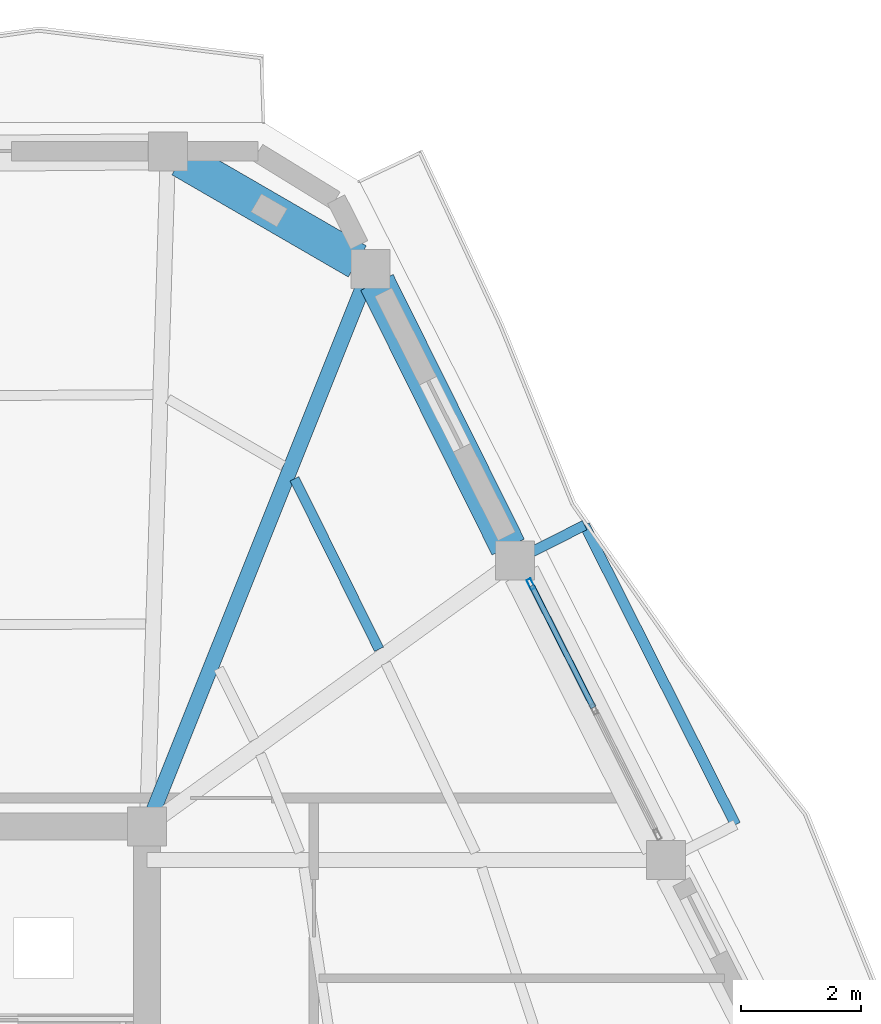
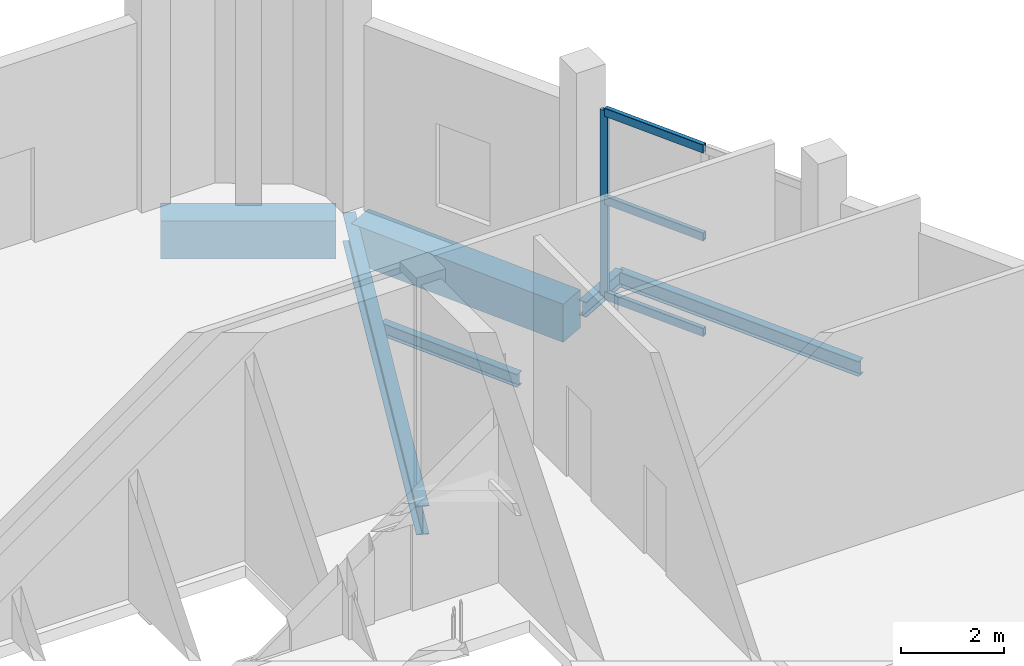
# One storey, part 16 of 23: 6 beams, 4 members, 1 element without a shape of its own.
"""IFC4 building model written with IfcOpenShell, lengths in metres."""

from ifc_helpers import new_model, si_unit, direction, frame, origin, origin_2d, place, context, subcontext, project, spatial, rectangle, hollow_rectangle, i_section, extrude, material, layer, layer_set, material_profile, profile_set, type_object, element, aggregate, save


model = new_model("IFC4")

# Units and contexts
model_context = context("Model", 3, precision=1e-05, world=origin(), true_north=direction((0.0, 1.0)))
body_context = subcontext(model_context, "Body", "Model", "MODEL_VIEW")
ifc_project = project(units=[si_unit("LENGTHUNIT", "METRE"), si_unit("AREAUNIT", "SQUARE_METRE"), si_unit("VOLUMEUNIT", "CUBIC_METRE"), si_unit("PLANEANGLEUNIT", "RADIAN"), si_unit("MASSUNIT", "GRAM", prefix="KILO")], contexts=[model_context])

# Site, building, storey
site_placement = place(None, origin())
site = spatial("IfcSite", under=ifc_project, at=site_placement, CompositionType="ELEMENT")
building_placement = place(site_placement, origin())
building = spatial("IfcBuilding", under=site, at=building_placement, Name="Cinnabar Lancet Tower", CompositionType="ELEMENT")
storey_placement = place(building_placement, frame((0.0, 0.0, 278.10009765625)))
storey = spatial("IfcBuildingStorey", under=building, at=storey_placement, Name="L74", CompositionType="ELEMENT", Elevation=278.10009765625)

# Curtain wall, members
ifc_material_1 = material(Name="Thermally broken bronze-anodized aluminium and low-E glass", Category="aluminium")
ifc_layer = layer(ifc_material_1, 0.179931640625)
ifc_layer_set = layer_set([ifc_layer], Name="Thermally broken bronze-anodized aluminium and low-E glass")
curtain_wall_type = type_object("IfcCurtainWallType", Name="ENV-CW-SYS-04", PredefinedType="NOTDEFINED", material=ifc_layer_set)
curtain_wall_placement = place(storey_placement, origin())
curtain_wall = element("IfcCurtainWall", 1, at=curtain_wall_placement, inside=storey, type_object=curtain_wall_type, Name="L74 Face 3 Feature Curtain Wall", PredefinedType="NOTDEFINED")
ifc_material_2 = material(Name="Anodized architectural aluminium 6063-T6", Category="aluminium")
ifc_material_profile_1 = material_profile(ifc_material_2, hollow_rectangle(XDim=0.074951171875, YDim=0.179931640625, WallThickness=0.00390625, InnerFilletRadius=0.001953125, OuterFilletRadius=0.006103515625, at=origin_2d()), Name="CW-MUL 180x75x4")
ifc_profile_set_1 = profile_set([ifc_material_profile_1], Name="Anodized architectural aluminium 6063-T6")
member_type_1 = type_object("IfcMemberType", Name="ENV-CW-MUL-180", PredefinedType="MULLION", material=ifc_profile_set_1)
member_1_placement = place(storey_placement, frame((48.015625, 37.16015625, 0.0), z_axis=(0.0, 0.0, 1.0), x_axis=(-0.892344822897, -0.451354314314, 0.0)))
member_1 = element("IfcMember", 2, at=member_1_placement, type_object=member_type_1, Name="CW-04 mullion 3", PredefinedType="MULLION", context=body_context, shape_type="SweptSolid", body=[
    extrude(hollow_rectangle(XDim=0.074951171875, YDim=0.179931640625, WallThickness=0.00390625, InnerFilletRadius=0.001953125, OuterFilletRadius=0.006103515625, at=origin_2d()), origin(), (0.0, 0.0, 1.0), 4.389892578125),
])
ifc_material_3 = material(Name="Anodized architectural aluminium 6063-T6", Category="aluminium")
ifc_material_profile_2 = material_profile(ifc_material_3, hollow_rectangle(XDim=0.10009765625, YDim=0.199951171875, WallThickness=0.008056640625, InnerFilletRadius=0.00390625, OuterFilletRadius=0.011962890625, at=origin_2d()), Name="RHS 200x100x8")
ifc_profile_set_2 = profile_set([ifc_material_profile_2], Name="Anodized architectural aluminium 6063-T6")
member_type_2 = type_object("IfcMemberType", Name="ENV-CW-TRN-140", PredefinedType="USERDEFINED", material=ifc_profile_set_2)
member_2_placement = place(storey_placement, frame((49.055419921875, 35.104248046875, 0.02978515625), z_axis=(-0.451331377237, 0.892356424262, 0.0), x_axis=(-0.892356424262, -0.451331377237, 0.0)))
member_2 = element("IfcMember", 3, at=member_2_placement, type_object=member_type_2, Name="CW-04 transom 2.1", ObjectType="TRANSOM", PredefinedType="USERDEFINED", context=body_context, shape_type="SweptSolid", body=[
    extrude(hollow_rectangle(XDim=0.10009765625, YDim=0.199951171875, WallThickness=0.008056640625, InnerFilletRadius=0.00390625, OuterFilletRadius=0.011962890625, at=origin_2d()), origin(), (0.0, 0.0, 1.0), 2.274169921875),
])
member_3_placement = place(storey_placement, frame((49.055419921875, 35.104248046875, 2.282958984375), z_axis=(-0.451331377237, 0.892356424262, 0.0), x_axis=(-0.892356424262, -0.451331377237, 0.0)))
member_3 = element("IfcMember", 4, at=member_3_placement, type_object=member_type_2, Name="CW-04 transom 2.2", ObjectType="TRANSOM", PredefinedType="USERDEFINED", context=body_context, shape_type="SweptSolid", body=[
    extrude(hollow_rectangle(XDim=0.10009765625, YDim=0.199951171875, WallThickness=0.008056640625, InnerFilletRadius=0.00390625, OuterFilletRadius=0.011962890625, at=origin_2d()), origin(), (0.0, 0.0, 1.0), 2.274169921875),
])
member_4_placement = place(storey_placement, frame((49.055419921875, 35.104248046875, 4.35986328125), z_axis=(-0.451331377237, 0.892356424262, 0.0), x_axis=(-0.892356424262, -0.451331377237, 0.0)))
member_4 = element("IfcMember", 5, at=member_4_placement, type_object=member_type_2, Name="CW-04 transom 2.3", ObjectType="TRANSOM", PredefinedType="USERDEFINED", context=body_context, shape_type="SweptSolid", body=[
    extrude(hollow_rectangle(XDim=0.10009765625, YDim=0.199951171875, WallThickness=0.008056640625, InnerFilletRadius=0.00390625, OuterFilletRadius=0.011962890625, at=origin_2d()), origin(), (0.0, 0.0, 1.0), 2.274169921875),
])
aggregate(curtain_wall, [member_1, member_2, member_3, member_4])

# Beams
ifc_material_4 = material(Name="Structural steel S355", Category="steel")
ifc_material_profile_3 = material_profile(ifc_material_4, i_section(OverallWidth=0.1650390625, OverallDepth=0.303466796875, WebThickness=0.006103515625, FlangeThickness=0.01025390625, FilletRadius=0.0087890625, at=origin_2d()), Name="UKB 305x165x40")
ifc_profile_set_3 = profile_set([ifc_material_profile_3], Name="Structural steel S355")
beam_type_1 = type_object("IfcBeamType", Name="STR-BM-JST-305", PredefinedType="JOIST", material=ifc_profile_set_3)
beam_1_placement = place(storey_placement, frame((45.487060546875, 36.074951171875, -0.43212890625), z_axis=(-0.444283719342, 0.895886140493, 0.0), x_axis=(-0.895886140493, -0.444283719342, 0.0)))
element("IfcBeam", 6, at=beam_1_placement, inside=storey, type_object=beam_type_1, Name="L74 Secondary Floor Joist 27", PredefinedType="JOIST", context=body_context, shape_type="SweptSolid", body=[
    extrude(i_section(OverallWidth=0.1650390625, OverallDepth=0.303466796875, WebThickness=0.006103515625, FlangeThickness=0.01025390625, FilletRadius=0.0087890625, at=origin_2d()), origin(), (0.0, 0.0, 1.0), 3.1689453125),
])
ifc_material_5 = material(Name="Concrete C60/75", Category="concrete")
ifc_material_profile_4 = material_profile(ifc_material_5, rectangle(XDim=0.60009765625, YDim=0.89990234375, at=origin_2d()), Name="RC-SB 600x900")
ifc_profile_set_4 = profile_set([ifc_material_profile_4], Name="Concrete C60/75")
beam_type_2 = type_object("IfcBeamType", Name="STR-BM-RCSB-900", PredefinedType="SPANDREL", material=ifc_profile_set_4)
beam_2_placement = place(storey_placement, frame((47.637939453125, 37.778076171875, -0.72998046875), z_axis=(-0.444372599207, 0.895842058107, 0.0), x_axis=(-0.895842058107, -0.444372599207, 0.0)))
element("IfcBeam", 7, at=beam_2_placement, inside=storey, type_object=beam_type_2, Name="L74 Perimeter Spandrel 11", PredefinedType="SPANDREL", context=body_context, shape_type="SweptSolid", body=[
    extrude(rectangle(XDim=0.60009765625, YDim=0.89990234375, at=origin_2d()), origin(), (0.0, 0.0, 1.0), 4.91943359375),
])
beam_3_placement = place(storey_placement, frame((45.125, 42.533935546875, -0.72998046875), z_axis=(-0.865199693264, 0.501427453153, 0.0), x_axis=(-0.501427453153, -0.865199693264, 0.0)))
element("IfcBeam", 8, at=beam_3_placement, inside=storey, type_object=beam_type_2, Name="L74 Perimeter Spandrel 12", PredefinedType="SPANDREL", context=body_context, shape_type="SweptSolid", body=[
    extrude(rectangle(XDim=0.60009765625, YDim=0.89990234375, at=origin_2d()), origin(), (0.0, 0.0, 1.0), 3.39453125),
])
ifc_material_6 = material(Name="Structural steel S355", Category="steel")
ifc_material_profile_5 = material_profile(ifc_material_6, i_section(OverallWidth=0.253662109375, OverallDepth=0.68359375, WebThickness=0.012451171875, FlangeThickness=0.01904296875, FilletRadius=0.01513671875, at=origin_2d()), Name="UKB 686x254x140")
ifc_profile_set_5 = profile_set([ifc_material_profile_5], Name="Structural steel S355")
beam_type_3 = type_object("IfcBeamType", Name="STR-BM-UKB686-140", PredefinedType="BEAM", material=ifc_profile_set_5)
beam_4_placement = place(storey_placement, frame((45.341064453125, 42.408935546875, -0.6220703125), z_axis=(-0.371605341166, -0.928390796172, 0.0), x_axis=(0.928390796172, -0.371605341166, 0.0)))
element("IfcBeam", 9, at=beam_4_placement, inside=storey, type_object=beam_type_3, Name="L74 Primary Floor Girder 12", PredefinedType="BEAM", context=body_context, shape_type="SweptSolid", body=[
    extrude(i_section(OverallWidth=0.253662109375, OverallDepth=0.68359375, WebThickness=0.012451171875, FlangeThickness=0.01904296875, FilletRadius=0.01513671875, at=origin_2d()), origin(), (0.0, 0.0, 1.0), 10.0),
])
ifc_material_7 = material(Name="Structural steel S355", Category="steel")
ifc_material_profile_6 = material_profile(ifc_material_7, i_section(OverallWidth=0.17138671875, OverallDepth=0.35498046875, WebThickness=0.00732421875, FlangeThickness=0.011474609375, FilletRadius=0.01025390625, at=origin_2d()), Name="UKB 356x171x51")
ifc_profile_set_6 = profile_set([ifc_material_profile_6], Name="Structural steel S355")
beam_type_4 = type_object("IfcBeamType", Name="STR-BM-WAV-OUT", PredefinedType="BEAM", material=ifc_profile_set_6)
beam_5_placement = place(storey_placement, frame((47.7490234375, 37.553955078125, -0.4580078125), z_axis=(0.892200264127, 0.451639998995, 0.0), x_axis=(-0.451639998995, 0.892200264127, 0.0)))
element("IfcBeam", 10, at=beam_5_placement, inside=storey, type_object=beam_type_4, Name="L74 Face 3 Balcony Outlooker B", PredefinedType="BEAM", context=body_context, shape_type="SweptSolid", body=[
    extrude(i_section(OverallWidth=0.17138671875, OverallDepth=0.35498046875, WebThickness=0.00732421875, FlangeThickness=0.011474609375, FilletRadius=0.01025390625, at=origin_2d()), origin(), (0.0, 0.0, 1.0), 1.300048828125),
])
ifc_material_8 = material(Name="Structural steel S355", Category="steel")
ifc_material_profile_7 = material_profile(ifc_material_8, i_section(OverallWidth=0.17138671875, OverallDepth=0.35498046875, WebThickness=0.00732421875, FlangeThickness=0.011474609375, FilletRadius=0.01025390625, at=origin_2d()), Name="UKB 356x171x51")
ifc_profile_set_7 = profile_set([ifc_material_profile_7], Name="Structural steel S355")
beam_type_5 = type_object("IfcBeamType", Name="STR-BM-WAV-TRIM", PredefinedType="SPANDREL", material=ifc_profile_set_7)
beam_6_placement = place(storey_placement, frame((51.424072265625, 33.154052734375, -0.4580078125), z_axis=(-0.450305622338, 0.892874485295, 0.0), x_axis=(-0.892874485295, -0.450305622338, 0.0)))
element("IfcBeam", 11, at=beam_6_placement, inside=storey, type_object=beam_type_5, Name="L74 Face 3 Balcony Edge Trimmer", PredefinedType="SPANDREL", context=body_context, shape_type="SweptSolid", body=[
    extrude(i_section(OverallWidth=0.17138671875, OverallDepth=0.35498046875, WebThickness=0.00732421875, FlangeThickness=0.011474609375, FilletRadius=0.01025390625, at=origin_2d()), origin(), (0.0, 0.0, 1.0), 5.58544921875),
])

save(model, "model.ifc")
